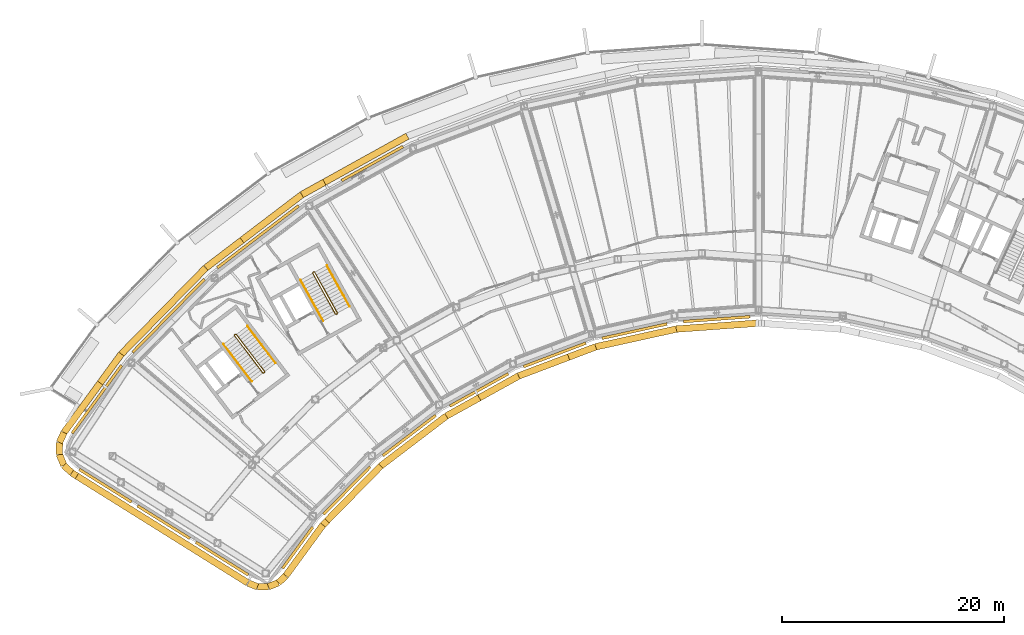
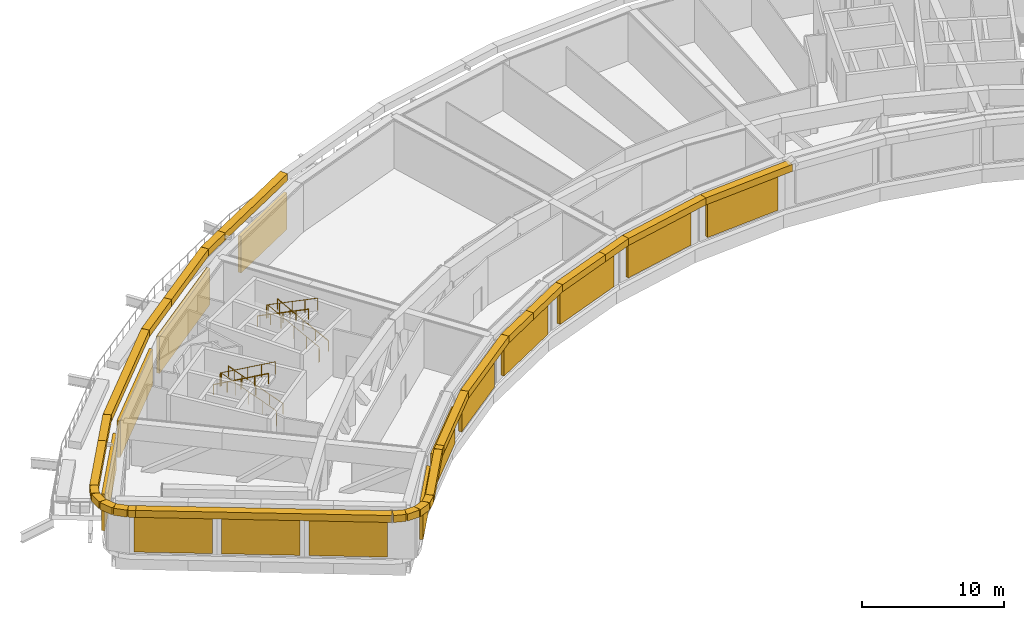
# One storey, part 20 of 24: 27 coverings, 14 shading devices, 6 railings.
"""IFC4 building model written with IfcOpenShell, lengths in metres."""

from ifc_helpers import new_model, si_unit, direction, frame, origin, origin_2d, place, context, subcontext, project, spatial, rectangle, circle, extrude, material, material_profile, profile_set, type_object, element, save


model = new_model("IFC4")

# Units and contexts
model_context = context("Model", 3, precision=1e-05, world=origin(), true_north=direction((0.0, 1.0)))
body_context = subcontext(model_context, "Body", "Model", "MODEL_VIEW")
ifc_project = project(units=[si_unit("LENGTHUNIT", "METRE"), si_unit("AREAUNIT", "SQUARE_METRE"), si_unit("VOLUMEUNIT", "CUBIC_METRE"), si_unit("PLANEANGLEUNIT", "RADIAN"), si_unit("MASSUNIT", "GRAM", prefix="KILO")], contexts=[model_context])

# Site, building, storey
site_placement = place(None, origin())
site = spatial("IfcSite", under=ifc_project, at=site_placement, CompositionType="ELEMENT")
building_placement = place(site_placement, origin())
building = spatial("IfcBuilding", under=site, at=building_placement, Name="Tuul Gate Civic Tower", CompositionType="ELEMENT")
storey_placement = place(building_placement, frame((0.0, 0.0, 243.89990234375)))
storey = spatial("IfcBuildingStorey", under=building, at=storey_placement, Name="Plant and refuge floor 6", CompositionType="ELEMENT", Elevation=243.89990234375)

# Shading devices
ifc_material_1 = material(Name="Aluminium louvre", Category="aluminium")
shading_device_type = type_object("IfcShadingDeviceType", Name="Louvre panel", PredefinedType="USERDEFINED", material=ifc_material_1)
shading_device_1_placement = place(storey_placement, frame((-23.69677734375, 5.25390625, 0.300048828125), z_axis=(0.0, 0.0, 1.0), x_axis=(-0.48478912347, 0.874631068374, 0.0)))
element("IfcShadingDevice", 1, at=shading_device_1_placement, inside=storey, type_object=shading_device_type, Name="Louvre panel", ObjectType="LOUVRE", PredefinedType="USERDEFINED", context=body_context, shape_type="SweptSolid", body=[
    extrude(rectangle(XDim=0.25, YDim=6.300048828125, at=origin_2d()), origin(), (0.0, 0.0, 1.0), 3.14990234375),
])
for number, where, z_axis, x_axis, name in (
    (2, (-33.96728515625, -1.324951171875, 0.300048828125), (0.0, 0.0, 1.0), (-0.605748672251, 0.79565604759, 0.0), "Louvre panel"),
    (3, (-42.01416015625, -8.426513671875, 0.300048828125), (0.0, 0.0, 1.0), (-0.714145828559, 0.699996953959, 0.0), "Louvre panel"),
):
    element("IfcShadingDevice", number, at=place(storey_placement, frame(where, z_axis=z_axis, x_axis=x_axis)), inside=storey, type_object=shading_device_type, Name=name, ObjectType="LOUVRE", PredefinedType="USERDEFINED", context=body_context, shape_type="SweptSolid", body=[
        extrude(rectangle(XDim=0.25, YDim=9.199951171875, at=origin_2d()), origin(), (0.0, 0.0, 1.0), 3.14990234375),
    ])
shading_device_2_placement = place(storey_placement, frame((-48.45556640625, -15.931396484375, 0.300048828125), z_axis=(0.0, 0.0, 1.0), x_axis=(-0.807538053993, 0.58981547229, 0.0)))
element("IfcShadingDevice", 4, at=shading_device_2_placement, inside=storey, type_object=shading_device_type, Name="Louvre panel", ObjectType="LOUVRE", PredefinedType="USERDEFINED", context=body_context, shape_type="SweptSolid", body=[
    extrude(rectangle(XDim=0.25, YDim=7.550048828125, at=origin_2d()), origin(), (0.0, 0.0, 1.0), 3.14990234375),
])
for number, where, z_axis, x_axis, name in (
    (5, (-47.690673828125, -23.701416015625, 0.300048828125), (0.0, 0.0, 1.0), (-0.529950479316, -0.848028590009, 0.0), "Louvre panel"),
    (6, (-42.447265625, -26.97802734375, 0.300048828125), (0.0, 0.0, 1.0), (-0.529950479316, -0.848028590009, 0.0), "Louvre panel"),
    (7, (-37.203857421875, -30.254638671875, 0.300048828125), (0.0, 0.0, 1.0), (-0.529950479316, -0.848028590009, 0.0), "Louvre panel"),
):
    element("IfcShadingDevice", number, at=place(storey_placement, frame(where, z_axis=z_axis, x_axis=x_axis)), inside=storey, type_object=shading_device_type, Name=name, ObjectType="LOUVRE", PredefinedType="USERDEFINED", context=body_context, shape_type="SweptSolid", body=[
        extrude(rectangle(XDim=0.25, YDim=5.550048828125, at=origin_2d()), origin(), (0.0, 0.0, 1.0), 3.14990234375),
    ])
shading_device_3_placement = place(storey_placement, frame((-30.4052734375, -29.281005859375, 0.300048828125), z_axis=(0.0, 0.0, 1.0), x_axis=(0.807595190444, -0.589737236717, 0.0)))
element("IfcShadingDevice", 8, at=shading_device_3_placement, inside=storey, type_object=shading_device_type, Name="Louvre panel", ObjectType="LOUVRE", PredefinedType="USERDEFINED", context=body_context, shape_type="SweptSolid", body=[
    extrude(rectangle(XDim=0.25, YDim=4.60009765625, at=origin_2d()), origin(), (0.0, 0.0, 1.0), 3.14990234375),
])
for number, where, z_axis, x_axis, name in (
    (9, (-25.982177734375, -24.14208984375, 0.300048828125), (0.0, 0.0, 1.0), (0.714113208541, -0.700030231767, 0.0), "Louvre panel"),
    (10, (-20.3671875, -19.18701171875, 0.300048828125), (0.0, 0.0, 1.0), (0.60576694824, -0.795642133386, 0.0), "Louvre panel"),
    (11, (-14.096923828125, -15.0927734375, 0.300048828125), (0.0, 0.0, 1.0), (0.48480794476, -0.874620635875, 0.0), "Louvre panel"),
    (12, (-7.3017578125, -11.9443359375, 0.300048828125), (0.0, 0.0, 1.0), (0.353801005196, -0.935320719712, 0.0), "Louvre panel"),
    (13, (-0.1240234375, -9.80859375, 0.300048828125), (0.0, 0.0, 1.0), (0.215115245883, -0.976588670316, 0.0), "Louvre panel"),
    (14, (7.28662109375, -8.729736328125, 0.300048828125), (0.0, 0.0, 1.0), (0.072276176045, -0.997384657179, 0.0), "Louvre panel"),
):
    element("IfcShadingDevice", number, at=place(storey_placement, frame(where, z_axis=z_axis, x_axis=x_axis)), inside=storey, type_object=shading_device_type, Name=name, ObjectType="LOUVRE", PredefinedType="USERDEFINED", context=body_context, shape_type="SweptSolid", body=[
        extrude(rectangle(XDim=0.25, YDim=6.0, at=origin_2d()), origin(), (0.0, 0.0, 1.0), 3.14990234375),
    ])

# Railings
ifc_material_2 = material(Name="Painted steel", Category="steel")
railing_type_1 = type_object("IfcRailingType", Name="Stair guard", PredefinedType="GUARDRAIL", material=ifc_material_2)
railing_1_placement = place(storey_placement, frame((-33.382080078125, -13.515380859375, 0.0)))
element("IfcRailing", 15, at=railing_1_placement, inside=storey, type_object=railing_type_1, Name="Plant and refuge floor 6 ST-1 stair guard 1", PredefinedType="GUARDRAIL", context=body_context, shape_type="SweptSolid", body=[
    extrude(circle(Radius=0.02392578125, at=origin_2d()), frame((0.0, 0.0, 1.076171875), z_axis=(-0.795879841968, -0.605454603706, 0.0), x_axis=(0.605454603706, -0.795879841968, 0.0)), (0.0, 0.0, 1.0), 0.10009765625),
    extrude(circle(Radius=0.02392578125, at=origin_2d()), frame((-0.07958984375, -0.060546875, 1.076171875), z_axis=(0.408676696321, 0.599019267211, 0.688592241747), x_axis=(-0.826063974707, 0.563576356576, 0.0)), (0.0, 0.0, 1.0), 0.218017578125),
    extrude(circle(Radius=0.02392578125, at=origin_2d()), frame((0.009521484375, 0.070068359375, 1.22607421875), z_axis=(-0.541829058468, 0.711641332238, 0.44720005104), x_axis=(-0.795633173153, -0.605778716842, 0.0)), (0.0, 0.0, 1.0), 4.695556640625),
    extrude(circle(Radius=0.02392578125, at=origin_2d()), frame((-2.53466796875, 3.41162109375, 3.326171875), z_axis=(-0.990893089246, 0.134650977284, 0.0), x_axis=(-0.134650977284, -0.990893089246, 0.0)), (0.0, 0.0, 1.0), 0.07080078125),
    extrude(circle(Radius=0.02392578125, at=origin_2d()), frame((-2.604736328125, 3.421142578125, 3.326171875), z_axis=(-0.795879841968, -0.605454603706, 0.0), x_axis=(0.605454603706, -0.795879841968, 0.0)), (0.0, 0.0, 1.0), 0.10009765625),
    extrude(circle(Radius=0.02392578125, at=origin_2d()), frame((-2.684326171875, 3.360595703125, 3.326171875), z_axis=(-0.057370624079, -0.422188951554, 0.904690610473), x_axis=(0.990893089246, -0.134650977284, 0.0)), (0.0, 0.0, 1.0), 0.166015625),
    extrude(circle(Radius=0.02392578125, at=origin_2d()), frame((-2.69384765625, 3.29052734375, 3.47607421875), z_axis=(0.541829058468, -0.711641332238, 0.44720005104), x_axis=(0.795633173153, 0.605778716842, 0.0)), (0.0, 0.0, 1.0), 4.695556640625),
    extrude(circle(Radius=0.02099609375, at=origin_2d()), origin(), (0.0, 0.0, 1.0), 1.052001953125),
    extrude(circle(Radius=0.02099609375, at=origin_2d()), frame((-0.07958984375, -0.060546875, 0.0)), (0.0, 0.0, 1.0), 1.052001953125),
    extrude(circle(Radius=0.02099609375, at=origin_2d()), frame((0.009521484375, 0.070068359375, 0.150146484375)), (0.0, 0.0, 1.0), 1.052001953125),
    extrude(circle(Radius=0.02099609375, at=origin_2d()), frame((-0.62646484375, 0.905517578125, 0.675048828125)), (0.0, 0.0, 1.0), 1.052001953125),
    extrude(circle(Radius=0.02099609375, at=origin_2d()), frame((-1.2626953125, 1.74072265625, 1.2001953125)), (0.0, 0.0, 1.0), 1.052001953125),
    extrude(circle(Radius=0.02099609375, at=origin_2d()), frame((-1.898681640625, 2.576171875, 1.72509765625)), (0.0, 0.0, 1.0), 1.052001953125),
    extrude(circle(Radius=0.02099609375, at=origin_2d()), frame((-2.53466796875, 3.41162109375, 2.25)), (0.0, 0.0, 1.0), 1.052001953125),
    extrude(circle(Radius=0.02099609375, at=origin_2d()), frame((-2.604736328125, 3.421142578125, 2.25)), (0.0, 0.0, 1.0), 1.052001953125),
    extrude(circle(Radius=0.02099609375, at=origin_2d()), frame((-2.684326171875, 3.360595703125, 2.25)), (0.0, 0.0, 1.0), 1.052001953125),
    extrude(circle(Radius=0.02099609375, at=origin_2d()), frame((-2.69384765625, 3.29052734375, 2.400146484375)), (0.0, 0.0, 1.0), 1.052001953125),
    extrude(circle(Radius=0.02099609375, at=origin_2d()), frame((-2.057861328125, 2.455078125, 2.925048828125)), (0.0, 0.0, 1.0), 1.052001953125),
    extrude(circle(Radius=0.02099609375, at=origin_2d()), frame((-1.421875, 1.61962890625, 3.4501953125)), (0.0, 0.0, 1.0), 1.052001953125),
    extrude(circle(Radius=0.02099609375, at=origin_2d()), frame((-0.78564453125, 0.784423828125, 3.97509765625)), (0.0, 0.0, 1.0), 1.052001953125),
    extrude(circle(Radius=0.02099609375, at=origin_2d()), frame((-0.149658203125, -0.051025390625, 4.5)), (0.0, 0.0, 1.0), 1.052001953125),
])
railing_2_placement = place(storey_placement, frame((-26.857666015625, -8.247314453125, 0.0)))
element("IfcRailing", 16, at=railing_2_placement, inside=storey, type_object=railing_type_1, Name="Plant and refuge floor 6 ST-2 stair guard 1", PredefinedType="GUARDRAIL", context=body_context, shape_type="SweptSolid", body=[
    extrude(circle(Radius=0.02392578125, at=origin_2d()), frame((0.0, 0.0, 1.076171875), z_axis=(-0.874616555828, -0.48481530532, 0.0), x_axis=(0.48481530532, -0.874616555828, 0.0)), (0.0, 0.0, 1.0), 0.10009765625),
    extrude(circle(Radius=0.02392578125, at=origin_2d()), frame((-0.087646484375, -0.048583984375, 1.076171875), z_axis=(0.490435707169, 0.534104639999, 0.688625479244), x_axis=(-0.736576986774, 0.676353711126, 0.0)), (0.0, 0.0, 1.0), 0.218017578125),
    extrude(circle(Radius=0.02392578125, at=origin_2d()), frame((0.019287109375, 0.06787109375, 1.22607421875), z_axis=(-0.433565959627, 0.782332053545, 0.447188010403), x_axis=(-0.874661316952, -0.484734546558, 0.0)), (0.0, 0.0, 1.0), 4.69580078125),
    extrude(circle(Radius=0.02392578125, at=origin_2d()), frame((-2.0166015625, 3.741455078125, 3.326171875), z_axis=(-0.961000426733, 0.276546885391, 0.0), x_axis=(-0.276546885391, -0.961000426733, 0.0)), (0.0, 0.0, 1.0), 0.070556640625),
    extrude(circle(Radius=0.02392578125, at=origin_2d()), frame((-2.08447265625, 3.760986328125, 3.326171875), z_axis=(-0.874616555828, -0.48481530532, 0.0), x_axis=(0.48481530532, -0.874616555828, 0.0)), (0.0, 0.0, 1.0), 0.10009765625),
    extrude(circle(Radius=0.02392578125, at=origin_2d()), frame((-2.172119140625, 3.71240234375, 3.326171875), z_axis=(-0.117709570447, -0.409040757305, 0.904892322815), x_axis=(0.961000426733, -0.276546885391, 0.0)), (0.0, 0.0, 1.0), 0.166015625),
    extrude(circle(Radius=0.02392578125, at=origin_2d()), frame((-2.191650390625, 3.64453125, 3.47607421875), z_axis=(0.433608177227, -0.782314417595, 0.447177929536), x_axis=(0.874636671229, 0.484779014956, 0.0)), (0.0, 0.0, 1.0), 4.69580078125),
    extrude(circle(Radius=0.02099609375, at=origin_2d()), origin(), (0.0, 0.0, 1.0), 1.052001953125),
    extrude(circle(Radius=0.02099609375, at=origin_2d()), frame((-0.087646484375, -0.048583984375, 0.0)), (0.0, 0.0, 1.0), 1.052001953125),
    extrude(circle(Radius=0.02099609375, at=origin_2d()), frame((0.019287109375, 0.06787109375, 0.150146484375)), (0.0, 0.0, 1.0), 1.052001953125),
    extrude(circle(Radius=0.02099609375, at=origin_2d()), frame((-0.48974609375, 0.986328125, 0.675048828125)), (0.0, 0.0, 1.0), 1.052001953125),
    extrude(circle(Radius=0.02099609375, at=origin_2d()), frame((-0.99853515625, 1.90478515625, 1.2001953125)), (0.0, 0.0, 1.0), 1.052001953125),
    extrude(circle(Radius=0.02099609375, at=origin_2d()), frame((-1.507568359375, 2.822998046875, 1.72509765625)), (0.0, 0.0, 1.0), 1.052001953125),
    extrude(circle(Radius=0.02099609375, at=origin_2d()), frame((-2.0166015625, 3.741455078125, 2.25)), (0.0, 0.0, 1.0), 1.052001953125),
    extrude(circle(Radius=0.02099609375, at=origin_2d()), frame((-2.08447265625, 3.760986328125, 2.25)), (0.0, 0.0, 1.0), 1.052001953125),
    extrude(circle(Radius=0.02099609375, at=origin_2d()), frame((-2.172119140625, 3.71240234375, 2.25)), (0.0, 0.0, 1.0), 1.052001953125),
    extrude(circle(Radius=0.02099609375, at=origin_2d()), frame((-2.191650390625, 3.64453125, 2.400146484375)), (0.0, 0.0, 1.0), 1.052001953125),
    extrude(circle(Radius=0.02099609375, at=origin_2d()), frame((-1.6826171875, 2.72607421875, 2.925048828125)), (0.0, 0.0, 1.0), 1.052001953125),
    extrude(circle(Radius=0.02099609375, at=origin_2d()), frame((-1.173583984375, 1.8076171875, 3.4501953125)), (0.0, 0.0, 1.0), 1.052001953125),
    extrude(circle(Radius=0.02099609375, at=origin_2d()), frame((-0.66455078125, 0.889404296875, 3.97509765625)), (0.0, 0.0, 1.0), 1.052001953125),
    extrude(circle(Radius=0.02099609375, at=origin_2d()), frame((-0.155517578125, -0.029052734375, 4.5)), (0.0, 0.0, 1.0), 1.052001953125),
])
ifc_material_3 = material(Name="Painted steel", Category="steel")
railing_type_2 = type_object("IfcRailingType", Name="Stair handrail", PredefinedType="HANDRAIL", material=ifc_material_3)
railing_3_placement = place(storey_placement, frame((-32.3779296875, -12.688232421875, 0.150146484375)))
element("IfcRailing", 17, at=railing_3_placement, inside=storey, type_object=railing_type_2, Name="Plant and refuge floor 6 ST-1 stair handrail 1", PredefinedType="HANDRAIL", context=body_context, shape_type="SweptSolid", body=[
    extrude(circle(Radius=0.02392578125, at=origin_2d()), frame((0.0, 0.0, 0.8759765625), z_axis=(-0.541809010604, 0.711666993297, 0.447183504482), x_axis=(-0.795654503725, -0.605750700125, 0.0)), (0.0, 0.0, 1.0), 4.69580078125),
    extrude(circle(Radius=0.02099609375, at=origin_2d()), origin(), (0.0, 0.0, 1.0), 0.851806640625),
    extrude(circle(Radius=0.02099609375, at=origin_2d()), frame((-0.635986328125, 0.83544921875, 0.52490234375)), (0.0, 0.0, 1.0), 0.851806640625),
    extrude(circle(Radius=0.02099609375, at=origin_2d()), frame((-1.27197265625, 1.6708984375, 1.0498046875)), (0.0, 0.0, 1.0), 0.851806640625),
    extrude(circle(Radius=0.02099609375, at=origin_2d()), frame((-1.908203125, 2.50634765625, 1.574951171875)), (0.0, 0.0, 1.0), 0.851806640625),
    extrude(circle(Radius=0.02099609375, at=origin_2d()), frame((-2.544189453125, 3.341796875, 2.099853515625)), (0.0, 0.0, 1.0), 0.851806640625),
])
railing_4_placement = place(storey_placement, frame((-37.0703125, -10.98193359375, 2.400146484375)))
element("IfcRailing", 18, at=railing_4_placement, inside=storey, type_object=railing_type_2, Name="Plant and refuge floor 6 ST-1 stair handrail 2", PredefinedType="HANDRAIL", context=body_context, shape_type="SweptSolid", body=[
    extrude(circle(Radius=0.02392578125, at=origin_2d()), frame((0.0, 0.0, 0.8759765625), z_axis=(0.541809010604, -0.711666993297, 0.447183504482), x_axis=(0.795654503725, 0.605750700125, 0.0)), (0.0, 0.0, 1.0), 4.69580078125),
    extrude(circle(Radius=0.02099609375, at=origin_2d()), origin(), (0.0, 0.0, 1.0), 0.851806640625),
    extrude(circle(Radius=0.02099609375, at=origin_2d()), frame((0.635986328125, -0.83544921875, 0.52490234375)), (0.0, 0.0, 1.0), 0.851806640625),
    extrude(circle(Radius=0.02099609375, at=origin_2d()), frame((1.27197265625, -1.6708984375, 1.0498046875)), (0.0, 0.0, 1.0), 0.851806640625),
    extrude(circle(Radius=0.02099609375, at=origin_2d()), frame((1.908203125, -2.50634765625, 1.574951171875)), (0.0, 0.0, 1.0), 0.851806640625),
    extrude(circle(Radius=0.02099609375, at=origin_2d()), frame((2.544189453125, -3.341796875, 2.099853515625)), (0.0, 0.0, 1.0), 0.851806640625),
])
railing_5_placement = place(storey_placement, frame((-25.744873046875, -7.573486328125, 0.150146484375)))
element("IfcRailing", 19, at=railing_5_placement, inside=storey, type_object=railing_type_2, Name="Plant and refuge floor 6 ST-2 stair handrail 1", PredefinedType="HANDRAIL", context=body_context, shape_type="SweptSolid", body=[
    extrude(circle(Radius=0.02392578125, at=origin_2d()), frame((0.0, 0.0, 0.8759765625), z_axis=(-0.433608177227, 0.782314417595, 0.447177929536), x_axis=(-0.874636671229, -0.484779014956, 0.0)), (0.0, 0.0, 1.0), 4.69580078125),
    extrude(circle(Radius=0.02099609375, at=origin_2d()), origin(), (0.0, 0.0, 1.0), 0.851806640625),
    extrude(circle(Radius=0.02099609375, at=origin_2d()), frame((-0.509033203125, 0.91845703125, 0.52490234375)), (0.0, 0.0, 1.0), 0.851806640625),
    extrude(circle(Radius=0.02099609375, at=origin_2d()), frame((-1.01806640625, 1.8369140625, 1.0498046875)), (0.0, 0.0, 1.0), 0.851806640625),
    extrude(circle(Radius=0.02099609375, at=origin_2d()), frame((-1.527099609375, 2.755126953125, 1.574951171875)), (0.0, 0.0, 1.0), 0.851806640625),
    extrude(circle(Radius=0.02099609375, at=origin_2d()), frame((-2.0361328125, 3.673583984375, 2.099853515625)), (0.0, 0.0, 1.0), 0.851806640625),
])
railing_6_placement = place(storey_placement, frame((-30.142578125, -5.208740234375, 2.400146484375)))
element("IfcRailing", 20, at=railing_6_placement, inside=storey, type_object=railing_type_2, Name="Plant and refuge floor 6 ST-2 stair handrail 2", PredefinedType="HANDRAIL", context=body_context, shape_type="SweptSolid", body=[
    extrude(circle(Radius=0.02392578125, at=origin_2d()), frame((0.0, 0.0, 0.8759765625), z_axis=(0.433608177227, -0.782314417595, 0.447177929536), x_axis=(0.874636671229, 0.484779014956, 0.0)), (0.0, 0.0, 1.0), 4.69580078125),
    extrude(circle(Radius=0.02099609375, at=origin_2d()), origin(), (0.0, 0.0, 1.0), 0.851806640625),
    extrude(circle(Radius=0.02099609375, at=origin_2d()), frame((0.509033203125, -0.91845703125, 0.52490234375)), (0.0, 0.0, 1.0), 0.851806640625),
    extrude(circle(Radius=0.02099609375, at=origin_2d()), frame((1.01806640625, -1.8369140625, 1.0498046875)), (0.0, 0.0, 1.0), 0.851806640625),
    extrude(circle(Radius=0.02099609375, at=origin_2d()), frame((1.527099609375, -2.755126953125, 1.574951171875)), (0.0, 0.0, 1.0), 0.851806640625),
    extrude(circle(Radius=0.02099609375, at=origin_2d()), frame((2.0361328125, -3.673583984375, 2.099853515625)), (0.0, 0.0, 1.0), 0.851806640625),
])

# Coverings
ifc_material_4 = material(Name="Terracotta baguette", Category="masonry")
ifc_material_profile = material_profile(ifc_material_4, rectangle(XDim=0.60009765625, YDim=0.60009765625, at=origin_2d()), Name="Terracotta baguette screen frame")
ifc_profile_set = profile_set([ifc_material_profile], Name="Terracotta baguette")
covering_type = type_object("IfcCoveringType", Name="Terracotta baguette screen frame", PredefinedType="CLADDING", material=ifc_profile_set)
covering_1_placement = place(storey_placement, frame((-28.009521484375, 3.578125, 4.150146484375), z_axis=(-0.874585833692, -0.48487072453, 0.0), x_axis=(0.48487072453, -0.874585833692, 0.0)))
element("IfcCovering", 21, at=covering_1_placement, inside=storey, type_object=covering_type, Name="Baguette 105", PredefinedType="CLADDING", context=body_context, shape_type="SweptSolid", body=[
    extrude(rectangle(XDim=0.60009765625, YDim=0.60009765625, at=origin_2d()), origin(), (0.0, 0.0, 1.0), 2.30908203125),
])
covering_2_placement = place(storey_placement, frame((-30.029052734375, 2.45849609375, 4.150146484375), z_axis=(-0.795673622453, -0.605725586823, 0.0), x_axis=(0.605725586823, -0.795673622453, 0.0)))
element("IfcCovering", 22, at=covering_2_placement, inside=storey, type_object=covering_type, Name="Baguette 106", PredefinedType="CLADDING", context=body_context, shape_type="SweptSolid", body=[
    extrude(rectangle(XDim=0.60009765625, YDim=0.60009765625, at=origin_2d()), origin(), (0.0, 0.0, 1.0), 6.76318359375),
])
covering_3_placement = place(storey_placement, frame((-48.1591796875, -14.4658203125, 4.150146484375), z_axis=(-0.589803348116, -0.807546909196, 0.0), x_axis=(0.807546909196, -0.589803348116, 0.0)))
element("IfcCovering", 23, at=covering_3_placement, inside=storey, type_object=covering_type, Name="Baguette 129", PredefinedType="CLADDING", context=body_context, shape_type="SweptSolid", body=[
    extrude(rectangle(XDim=0.60009765625, YDim=0.60009765625, at=origin_2d()), origin(), (0.0, 0.0, 1.0), 5.511962890625),
])
covering_4_placement = place(storey_placement, frame((-51.41015625, -18.9169921875, 4.150146484375), z_axis=(-0.4130215853, -0.910721236206, 0.0), x_axis=(0.910721236206, -0.4130215853, 0.0)))
element("IfcCovering", 24, at=covering_4_placement, inside=storey, type_object=covering_type, Name="Baguette 130", PredefinedType="CLADDING", context=body_context, shape_type="SweptSolid", body=[
    extrude(rectangle(XDim=0.60009765625, YDim=0.60009765625, at=origin_2d()), origin(), (0.0, 0.0, 1.0), 0.989013671875),
])
covering_5_placement = place(storey_placement, frame((-51.818603515625, -19.817626953125, 4.150146484375), z_axis=(-0.014650442147, -0.999892676513, 0.0), x_axis=(0.999892676513, -0.014650442147, 0.0)))
element("IfcCovering", 25, at=covering_5_placement, inside=storey, type_object=covering_type, Name="Baguette 131", PredefinedType="CLADDING", context=body_context, shape_type="SweptSolid", body=[
    extrude(rectangle(XDim=0.60009765625, YDim=0.60009765625, at=origin_2d()), origin(), (0.0, 0.0, 1.0), 1.06640625),
])
covering_6_placement = place(storey_placement, frame((-51.834228515625, -20.884033203125, 4.150146484375), z_axis=(0.385378072861, -0.922758766394, 0.0), x_axis=(0.922758766394, 0.385378072861, 0.0)))
element("IfcCovering", 26, at=covering_6_placement, inside=storey, type_object=covering_type, Name="Baguette 132", PredefinedType="CLADDING", context=body_context, shape_type="SweptSolid", body=[
    extrude(rectangle(XDim=0.60009765625, YDim=0.60009765625, at=origin_2d()), origin(), (0.0, 0.0, 1.0), 1.068115234375),
])
covering_7_placement = place(storey_placement, frame((-51.422607421875, -21.86962890625, 4.150146484375), z_axis=(0.722749211147, -0.69111039479, 0.0), x_axis=(0.69111039479, 0.722749211147, 0.0)))
element("IfcCovering", 27, at=covering_7_placement, inside=storey, type_object=covering_type, Name="Baguette 133", PredefinedType="CLADDING", context=body_context, shape_type="SweptSolid", body=[
    extrude(rectangle(XDim=0.60009765625, YDim=0.60009765625, at=origin_2d()), origin(), (0.0, 0.0, 1.0), 0.98779296875),
])
covering_8_placement = place(storey_placement, frame((-50.708740234375, -22.55224609375, 4.150146484375), z_axis=(0.848151153027, -0.529754303067, 0.0), x_axis=(0.529754303067, 0.848151153027, 0.0)))
element("IfcCovering", 28, at=covering_8_placement, inside=storey, type_object=covering_type, Name="Baguette 134", PredefinedType="CLADDING", context=body_context, shape_type="SweptSolid", body=[
    extrude(rectangle(XDim=0.60009765625, YDim=0.60009765625, at=origin_2d()), origin(), (0.0, 0.0, 1.0), 0.538330078125),
])
covering_9_placement = place(storey_placement, frame((-34.853759765625, -32.460205078125, 4.150146484375), z_axis=(0.93181662135, -0.362929447932, 0.0), x_axis=(0.362929447932, 0.93181662135, 0.0)))
element("IfcCovering", 29, at=covering_9_placement, inside=storey, type_object=covering_type, Name="Baguette 158", PredefinedType="CLADDING", context=body_context, shape_type="SweptSolid", body=[
    extrude(rectangle(XDim=0.60009765625, YDim=0.60009765625, at=origin_2d()), origin(), (0.0, 0.0, 1.0), 0.902099609375),
])
covering_10_placement = place(storey_placement, frame((-34.01318359375, -32.78759765625, 4.150146484375), z_axis=(0.999990900757, 0.004265958673, 0.0), x_axis=(-0.004265958673, 0.999990900757, 0.0)))
element("IfcCovering", 30, at=covering_10_placement, inside=storey, type_object=covering_type, Name="Baguette 159", PredefinedType="CLADDING", context=body_context, shape_type="SweptSolid", body=[
    extrude(rectangle(XDim=0.60009765625, YDim=0.60009765625, at=origin_2d()), origin(), (0.0, 0.0, 1.0), 0.972900390625),
])
covering_11_placement = place(storey_placement, frame((-33.040283203125, -32.783447265625, 4.150146484375), z_axis=(0.929665294904, 0.368405265232, 0.0), x_axis=(-0.368405265232, 0.929665294904, 0.0)))
element("IfcCovering", 31, at=covering_11_placement, inside=storey, type_object=covering_type, Name="Baguette 160", PredefinedType="CLADDING", context=body_context, shape_type="SweptSolid", body=[
    extrude(rectangle(XDim=0.60009765625, YDim=0.60009765625, at=origin_2d()), origin(), (0.0, 0.0, 1.0), 0.973388671875),
])
covering_12_placement = place(storey_placement, frame((-32.13525390625, -32.4248046875, 4.150146484375), z_axis=(0.730001285686, 0.683445771731, 0.0), x_axis=(-0.683445771731, 0.730001285686, 0.0)))
element("IfcCovering", 32, at=covering_12_placement, inside=storey, type_object=covering_type, Name="Baguette 161", PredefinedType="CLADDING", context=body_context, shape_type="SweptSolid", body=[
    extrude(rectangle(XDim=0.60009765625, YDim=0.60009765625, at=origin_2d()), origin(), (0.0, 0.0, 1.0), 0.902099609375),
])
covering_13_placement = place(storey_placement, frame((-31.476806640625, -31.808349609375, 4.150146484375), z_axis=(0.589729447422, 0.807600878432, 0.0), x_axis=(-0.807600878432, 0.589729447422, 0.0)))
element("IfcCovering", 33, at=covering_13_placement, inside=storey, type_object=covering_type, Name="Baguette 162", PredefinedType="CLADDING", context=body_context, shape_type="SweptSolid", body=[
    extrude(rectangle(XDim=0.60009765625, YDim=0.60009765625, at=origin_2d()), origin(), (0.0, 0.0, 1.0), 5.671142578125),
])
covering_14_placement = place(storey_placement, frame((-28.13232421875, -27.228271484375, 4.150146484375), z_axis=(0.69989931795, 0.714241517088, 0.0), x_axis=(-0.714241517088, 0.69989931795, 0.0)))
element("IfcCovering", 34, at=covering_14_placement, inside=storey, type_object=covering_type, Name="Baguette 163", PredefinedType="CLADDING", context=body_context, shape_type="SweptSolid", body=[
    extrude(rectangle(XDim=0.60009765625, YDim=0.60009765625, at=origin_2d()), origin(), (0.0, 0.0, 1.0), 0.5107421875),
])
covering_15_placement = place(storey_placement, frame((-14.08251953125, -15.79931640625, 4.150146484375), z_axis=(0.874641542533, 0.484770226062, 0.0), x_axis=(-0.484770226062, 0.874641542533, 0.0)))
element("IfcCovering", 35, at=covering_15_placement, inside=storey, type_object=covering_type, Name="Baguette 194", PredefinedType="CLADDING", context=body_context, shape_type="SweptSolid", body=[
    extrude(rectangle(XDim=0.60009765625, YDim=0.60009765625, at=origin_2d()), origin(), (0.0, 0.0, 1.0), 4.0390625),
])
covering_16_placement = place(storey_placement, frame((-10.5498046875, -13.84130859375, 4.150146484375), z_axis=(0.935318471255, 0.353806949238, 0.0), x_axis=(-0.353806949238, 0.935318471255, 0.0)))
element("IfcCovering", 36, at=covering_16_placement, inside=storey, type_object=covering_type, Name="Baguette 195", PredefinedType="CLADDING", context=body_context, shape_type="SweptSolid", body=[
    extrude(rectangle(XDim=0.60009765625, YDim=0.60009765625, at=origin_2d()), origin(), (0.0, 0.0, 1.0), 4.81298828125),
])
covering_17_placement = place(storey_placement, frame((-20.5380859375, 7.71923828125, 4.150146484375), z_axis=(-0.874638125691, -0.484776390811, 0.0), x_axis=(0.484776390811, -0.874638125691, 0.0)))
element("IfcCovering", 37, at=covering_17_placement, inside=storey, type_object=covering_type, Name="Baguette 394", PredefinedType="CLADDING", context=body_context, shape_type="SweptSolid", body=[
    extrude(rectangle(XDim=0.60009765625, YDim=0.60009765625, at=origin_2d()), origin(), (0.0, 0.0, 1.0), 8.542236328125),
])
covering_18_placement = place(storey_placement, frame((-35.410400390625, -1.63818359375, 4.150146484375), z_axis=(-0.79564282086, -0.605766045279, 0.0), x_axis=(0.605766045279, -0.79564282086, 0.0)))
element("IfcCovering", 38, at=covering_18_placement, inside=storey, type_object=covering_type, Name="Baguette 395", PredefinedType="CLADDING", context=body_context, shape_type="SweptSolid", body=[
    extrude(rectangle(XDim=0.60009765625, YDim=0.60009765625, at=origin_2d()), origin(), (0.0, 0.0, 1.0), 4.08740234375),
])
covering_19_placement = place(storey_placement, frame((-38.66259765625, -4.1142578125, 4.150146484375), z_axis=(-0.699995601925, -0.714147153804, 0.0), x_axis=(0.714147153804, -0.699995601925, 0.0)))
element("IfcCovering", 39, at=covering_19_placement, inside=storey, type_object=covering_type, Name="Baguette 396", PredefinedType="CLADDING", context=body_context, shape_type="SweptSolid", body=[
    extrude(rectangle(XDim=0.60009765625, YDim=0.60009765625, at=origin_2d()), origin(), (0.0, 0.0, 1.0), 10.851318359375),
])
covering_20_placement = place(storey_placement, frame((-46.258544921875, -11.86376953125, 4.150146484375), z_axis=(-0.589841808551, -0.807518817667, 0.0), x_axis=(0.807518817667, -0.589841808551, 0.0)))
element("IfcCovering", 40, at=covering_20_placement, inside=storey, type_object=covering_type, Name="Baguette 397", PredefinedType="CLADDING", context=body_context, shape_type="SweptSolid", body=[
    extrude(rectangle(XDim=0.60009765625, YDim=0.60009765625, at=origin_2d()), origin(), (0.0, 0.0, 1.0), 3.22216796875),
])
covering_21_placement = place(storey_placement, frame((-50.252197265625, -22.83740234375, 4.150146484375), z_axis=(0.848027846478, -0.529951669115, 0.0), x_axis=(0.529951669115, 0.848027846478, 0.0)))
element("IfcCovering", 41, at=covering_21_placement, inside=storey, type_object=covering_type, Name="Baguette 398", PredefinedType="CLADDING", context=body_context, shape_type="SweptSolid", body=[
    extrude(rectangle(XDim=0.60009765625, YDim=0.60009765625, at=origin_2d()), origin(), (0.0, 0.0, 1.0), 18.105712890625),
])
covering_22_placement = place(storey_placement, frame((-27.77490234375, -26.863525390625, 4.150146484375), z_axis=(0.700038192613, 0.714105404603, 0.0), x_axis=(-0.714105404603, 0.700038192613, 0.0)))
element("IfcCovering", 42, at=covering_22_placement, inside=storey, type_object=covering_type, Name="Baguette 399", PredefinedType="CLADDING", context=body_context, shape_type="SweptSolid", body=[
    extrude(rectangle(XDim=0.60009765625, YDim=0.60009765625, at=origin_2d()), origin(), (0.0, 0.0, 1.0), 6.907470703125),
])
covering_23_placement = place(storey_placement, frame((-22.939453125, -21.930908203125, 4.150146484375), z_axis=(0.795630389124, 0.605782373384, 0.0), x_axis=(-0.605782373384, 0.795630389124, 0.0)))
element("IfcCovering", 43, at=covering_23_placement, inside=storey, type_object=covering_type, Name="Baguette 400", PredefinedType="CLADDING", context=body_context, shape_type="SweptSolid", body=[
    extrude(rectangle(XDim=0.60009765625, YDim=0.60009765625, at=origin_2d()), origin(), (0.0, 0.0, 1.0), 7.41748046875),
])
covering_24_placement = place(storey_placement, frame((-17.037841796875, -17.4375, 4.150146484375), z_axis=(0.874616982527, 0.484814535544, 0.0), x_axis=(-0.484814535544, 0.874616982527, 0.0)))
element("IfcCovering", 44, at=covering_24_placement, inside=storey, type_object=covering_type, Name="Baguette 401", PredefinedType="CLADDING", context=body_context, shape_type="SweptSolid", body=[
    extrude(rectangle(XDim=0.60009765625, YDim=0.60009765625, at=origin_2d()), origin(), (0.0, 0.0, 1.0), 3.37890625),
])
covering_25_placement = place(storey_placement, frame((-6.048095703125, -12.138427734375, 4.150146484375), z_axis=(0.935323979616, 0.353792387079, 0.0), x_axis=(-0.353792387079, 0.935323979616, 0.0)))
element("IfcCovering", 45, at=covering_25_placement, inside=storey, type_object=covering_type, Name="Baguette 402", PredefinedType="CLADDING", context=body_context, shape_type="SweptSolid", body=[
    extrude(rectangle(XDim=0.60009765625, YDim=0.60009765625, at=origin_2d()), origin(), (0.0, 0.0, 1.0), 2.60498046875),
])
covering_26_placement = place(storey_placement, frame((-3.611572265625, -11.216796875, 4.150146484375), z_axis=(0.976586552641, 0.215124859562, 0.0), x_axis=(-0.215124859562, 0.976586552641, 0.0)))
element("IfcCovering", 46, at=covering_26_placement, inside=storey, type_object=covering_type, Name="Baguette 403", PredefinedType="CLADDING", context=body_context, shape_type="SweptSolid", body=[
    extrude(rectangle(XDim=0.60009765625, YDim=0.60009765625, at=origin_2d()), origin(), (0.0, 0.0, 1.0), 7.41748046875),
])
covering_27_placement = place(storey_placement, frame((3.63232421875, -9.62109375, 4.150146484375), z_axis=(0.997384830366, 0.072273786091, 0.0), x_axis=(-0.072273786091, 0.997384830366, 0.0)))
element("IfcCovering", 47, at=covering_27_placement, inside=storey, type_object=covering_type, Name="Baguette 404", PredefinedType="CLADDING", context=body_context, shape_type="SweptSolid", body=[
    extrude(rectangle(XDim=0.60009765625, YDim=0.60009765625, at=origin_2d()), origin(), (0.0, 0.0, 1.0), 7.41796875),
])

save(model, "model.ifc")
